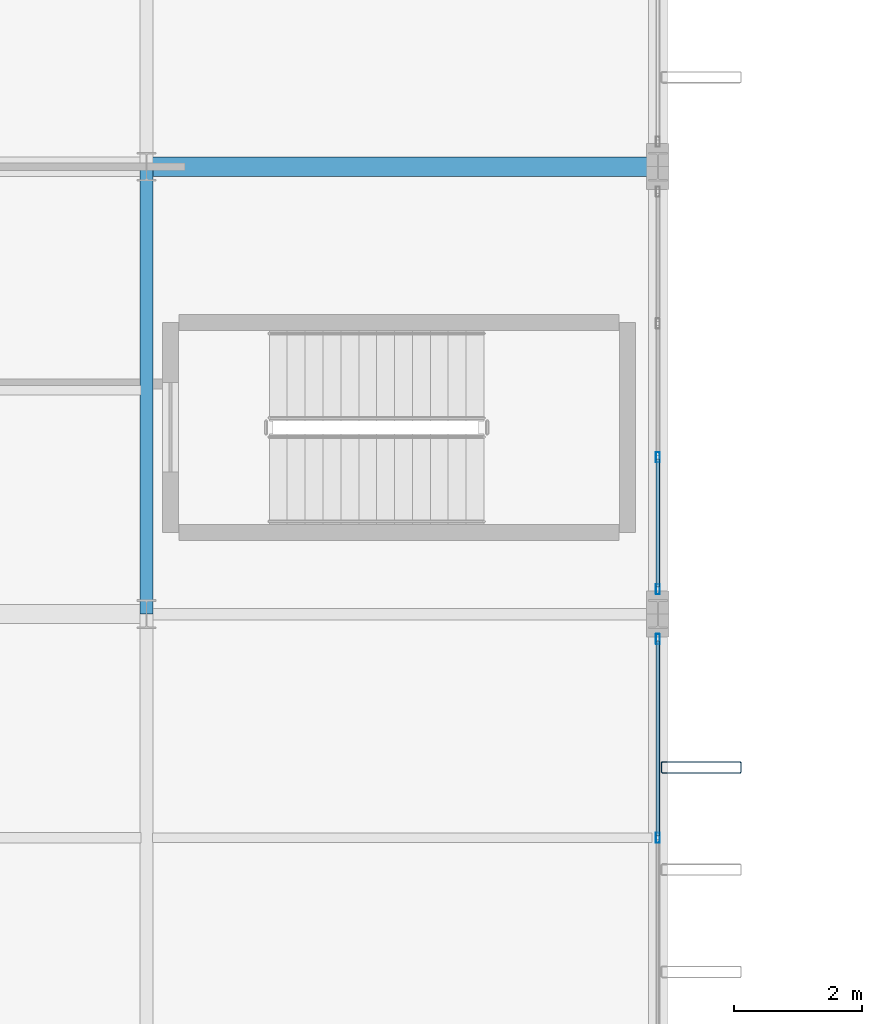
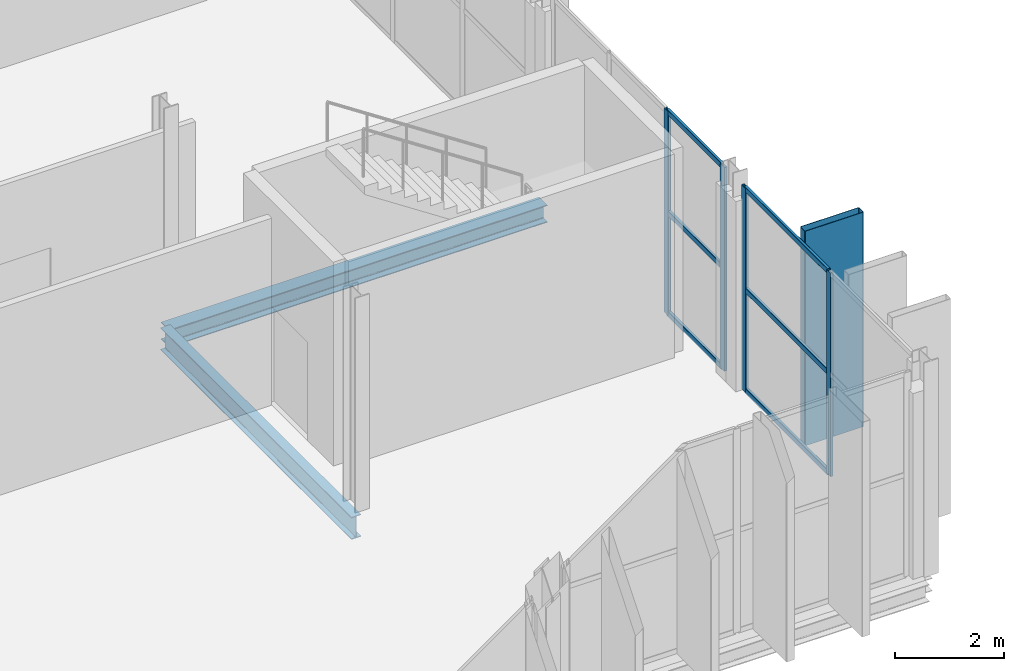
# One storey, part 32 of 120: 11 members, 2 beams, 2 elements without a shape of their own.
"""IFC4 building model written with IfcOpenShell, lengths in metres."""

import ifcopenshell
import ifcopenshell.guid

model = None  # the IFC model being written
_history = None  # IfcOwnerHistory: only IFC2X3 demands one
_inside = {}  # id of a spatial element -> (the spatial element, [elements in it])
_under = {}  # id of a project, library or spatial element -> (it, [spatial elements below it])
_declared = {}  # id of a project -> (the project, [libraries it declares])
_typed = {}  # id of a type object -> (the type object, [elements of that type])
_made_of = {}  # id of a material, layer set ... -> (it, [elements and type objects made of it])


def new_model(schema):
    """Start an empty IFC model of exactly this schema.

    Asked for "IFC4X3", IfcOpenShell would pick the latest addendum, in which some entities
    have other attributes; the version numbers below select the first issue.
    IFC2X3 requires an IfcOwnerHistory on every rooted entity: one is made here for all.
    """
    global model, _history
    if schema == "IFC4X3":
        model = ifcopenshell.file(schema_version=(4, 3, 0, 0))
    else:
        model = ifcopenshell.file(schema=schema)
    _inside.clear()
    _under.clear()
    _declared.clear()
    _typed.clear()
    _made_of.clear()
    _history = None
    if model.schema == "IFC2X3":
        org = make("IfcOrganization", Name="unknown")
        user = make(
            "IfcPersonAndOrganization",
            ThePerson=make("IfcPerson", FamilyName="unknown"),
            TheOrganization=org,
        )
        app = make(
            "IfcApplication",
            ApplicationDeveloper=org,
            Version="unknown",
            ApplicationFullName="unknown",
            ApplicationIdentifier="unknown",
        )
        _history = make(
            "IfcOwnerHistory",
            OwningUser=user,
            OwningApplication=app,
            ChangeAction="ADDED",
            CreationDate=0,
        )
    return model


def make(cls, **values):
    """One entity of the class cls with the attributes given. An attribute that is None is left unset."""
    return model.create_entity(
        cls, **{name: value for name, value in values.items() if value is not None}
    )


def rooted(cls, **values):
    """An entity with a GlobalId (a new one), such as an element, a storey or a relation."""
    return make(cls, GlobalId=ifcopenshell.guid.new(), OwnerHistory=_history, **values)


def si_unit(unit_type, name, prefix=None):
    """IfcSIUnit, for example si_unit("LENGTHUNIT", "METRE", prefix="MILLI")."""
    return make("IfcSIUnit", UnitType=unit_type, Prefix=prefix, Name=name)


def assignment(units):
    """IfcUnitAssignment: the units of a project."""
    return None if units is None else make("IfcUnitAssignment", Units=units)


def point(xyz):
    """IfcCartesianPoint."""
    return None if xyz is None else make("IfcCartesianPoint", Coordinates=xyz)


def direction(xyz):
    """IfcDirection."""
    return None if xyz is None else make("IfcDirection", DirectionRatios=xyz)


def frame(location, z_axis=None, x_axis=None):
    """IfcAxis2Placement3D, a coordinate frame: its origin and axes. An axis left out is left unset."""
    return make(
        "IfcAxis2Placement3D",
        Location=point(location),
        Axis=direction(z_axis),
        RefDirection=direction(x_axis),
    )


def frame_2d(location, x_axis=None):
    """IfcAxis2Placement2D, a coordinate frame in the plane: its origin and x axis."""
    return make(
        "IfcAxis2Placement2D", Location=point(location), RefDirection=direction(x_axis)
    )


def origin():
    """The frame at (0, 0, 0) with its axes left unset."""
    return frame((0.0, 0.0, 0.0))


def origin_2d():
    """The frame at (0, 0) in the plane with its x axis left unset."""
    return frame_2d((0.0, 0.0))


def place(relative_to, where):
    """IfcLocalPlacement: puts the frame where relative to a parent placement (None: the world)."""
    return make(
        "IfcLocalPlacement", PlacementRelTo=relative_to, RelativePlacement=where
    )


def context(
    kind, dimensions, precision=None, world=None, true_north=None, identifier=None
):
    """IfcGeometricRepresentationContext, for example the 3D "Model" context."""
    return make(
        "IfcGeometricRepresentationContext",
        ContextIdentifier=identifier,
        ContextType=kind,
        CoordinateSpaceDimension=dimensions,
        Precision=precision,
        WorldCoordinateSystem=world,
        TrueNorth=true_north,
    )


def subcontext(parent, identifier, kind, view, scale=None):
    """IfcGeometricRepresentationSubContext, for example "Body" below "Model"."""
    return make(
        "IfcGeometricRepresentationSubContext",
        ContextIdentifier=identifier,
        ContextType=kind,
        ParentContext=parent,
        TargetScale=scale,
        TargetView=view,
    )


def project(units=None, contexts=None):
    """IfcProject with its units and contexts."""
    return rooted(
        "IfcProject",
        Name="project",
        RepresentationContexts=contexts,
        UnitsInContext=assignment(units),
    )


def spatial(cls, under=None, at=None, **own):
    """A site, building, storey or space (cls), placed at a placement, below another one or the project."""
    s = rooted(cls, ObjectPlacement=at, **own)
    if under is not None:
        _under.setdefault(under.id(), (under, []))[1].append(s)
    return s


def profile(cls, at=None, kind="AREA", **sizes):
    """A parametric profile (cls). Its sizes go by their IFC names, for example OverallWidth=200.0."""
    return make(cls, ProfileType=kind, Position=at, **sizes)


def hollow_rectangle(**sizes):
    """IfcRectangleHollowProfileDef."""
    return profile("IfcRectangleHollowProfileDef", **sizes)


def i_section(**sizes):
    """IfcIShapeProfileDef."""
    return profile("IfcIShapeProfileDef", **sizes)


def extrude(swept, where, along, depth):
    """IfcExtrudedAreaSolid: the profile swept, set in the frame where, extruded along a direction by depth."""
    return make(
        "IfcExtrudedAreaSolid",
        SweptArea=swept,
        Position=where,
        ExtrudedDirection=direction(along),
        Depth=depth,
    )


def shape(context_of_items, identifier, shape_type, items):
    """IfcShapeRepresentation: the items that make up one representation, for example the "Body"."""
    return make(
        "IfcShapeRepresentation",
        ContextOfItems=context_of_items,
        RepresentationIdentifier=identifier,
        RepresentationType=shape_type,
        Items=items,
    )


def material(Name=None, Category=None):
    """IfcMaterial."""
    return make("IfcMaterial", Name=Name, Category=Category)


def layer(
    of_material, thickness, ventilated=None, Name=None, Category=None, Priority=None
):
    """IfcMaterialLayer: one layer of a wall or slab, of a material (None: an air gap)."""
    return make(
        "IfcMaterialLayer",
        Material=of_material,
        LayerThickness=thickness,
        IsVentilated=ventilated,
        Name=Name,
        Category=Category,
        Priority=Priority,
    )


def layer_set(layers, Name=None):
    """IfcMaterialLayerSet."""
    return make("IfcMaterialLayerSet", MaterialLayers=layers, LayerSetName=Name)


def material_profile(
    of_material, cross_section, Name=None, Category=None, Priority=None
):
    """IfcMaterialProfile: a cross section and its material."""
    return make(
        "IfcMaterialProfile",
        Name=Name,
        Material=of_material,
        Profile=cross_section,
        Priority=Priority,
        Category=Category,
    )


def profile_set(profiles, Name=None, composite=None):
    """IfcMaterialProfileSet."""
    return make(
        "IfcMaterialProfileSet",
        Name=Name,
        MaterialProfiles=profiles,
        CompositeProfile=composite,
    )


def made_of(thing, what):
    """Note that an element or type object is made of a material, layer set ...; save() writes the relation."""
    if what is not None:
        _made_of.setdefault(what.id(), (what, []))[1].append(thing)
    return thing


def type_object(cls, material=None, **own):
    """A type object (cls), such as IfcWallType, which elements share."""
    return made_of(rooted(cls, **own), material)


def element(
    cls,
    number,
    at=None,
    inside=None,
    cuts=None,
    type_object=None,
    material=None,
    context=None,
    identifier="Body",
    shape_type=None,
    held_by="IfcProductDefinitionShape",
    body=None,
    shapes=None,
    **own,
):
    """One element of the class cls, such as IfcWall. Its Tag is "e" and its number.

    at: its placement. inside: the storey or other place that contains it. cuts: it is an
    opening in that element (IfcRelVoidsElement). A single representation is given by context,
    identifier, shape_type and body (its items); several are given by shapes. held_by: the class
    of the entity that holds the representations. save() writes the other relations.
    """
    e = rooted(cls, Tag="e%d" % number, ObjectPlacement=at, **own)
    if body is not None:
        shapes = [shape(context, identifier, shape_type, body)]
    if shapes is not None:
        e.Representation = make(held_by, Representations=shapes)
    if inside is not None:
        _inside.setdefault(inside.id(), (inside, []))[1].append(e)
    if cuts is not None:
        rooted(
            "IfcRelVoidsElement", RelatingBuildingElement=cuts, RelatedOpeningElement=e
        )
    if type_object is not None:
        _typed.setdefault(type_object.id(), (type_object, []))[1].append(e)
    return made_of(e, material)


def aggregate(whole, parts):
    """IfcRelAggregates: a whole, such as a stair, and the parts it consists of."""
    return rooted("IfcRelAggregates", RelatingObject=whole, RelatedObjects=parts)


def save(model, path):
    """Write the relations noted so far, then the file.

    IfcRelAggregates (storeys below a building ...), IfcRelContainedInSpatialStructure (elements
    in a storey), IfcRelDefinesByType, IfcRelAssociatesMaterial and IfcRelDeclares: one each for
    every whole, place, type object, material and project.
    """
    for whole, parts in _under.values():
        aggregate(whole, parts)
    for where, things in _inside.values():
        rooted(
            "IfcRelContainedInSpatialStructure",
            RelatedElements=things,
            RelatingStructure=where,
        )
    for kind, things in _typed.values():
        rooted("IfcRelDefinesByType", RelatedObjects=things, RelatingType=kind)
    for what, things in _made_of.values():
        rooted("IfcRelAssociatesMaterial", RelatedObjects=things, RelatingMaterial=what)
    for by, libraries in _declared.values():
        rooted("IfcRelDeclares", RelatingContext=by, RelatedDefinitions=libraries)
    model.write(path)


model = new_model("IFC4")

# Units and contexts
model_context = context("Model", 3, precision=1e-05, world=origin(), true_north=direction((0.0, 1.0)))
body_context = subcontext(model_context, "Body", "Model", "MODEL_VIEW")
ifc_project = project(units=[si_unit("LENGTHUNIT", "METRE"), si_unit("AREAUNIT", "SQUARE_METRE"), si_unit("VOLUMEUNIT", "CUBIC_METRE"), si_unit("PLANEANGLEUNIT", "RADIAN"), si_unit("MASSUNIT", "GRAM", prefix="KILO")], contexts=[model_context])

# Site, building, storey
site_placement = place(None, origin())
site = spatial("IfcSite", under=ifc_project, at=site_placement, CompositionType="ELEMENT")
building_placement = place(site_placement, origin())
building = spatial("IfcBuilding", under=site, at=building_placement, Name="Vekula Escarpment Museum", CompositionType="ELEMENT")
storey_placement = place(building_placement, frame((0.0, 0.0, 13.199951171875)))
storey = spatial("IfcBuildingStorey", under=building, at=storey_placement, Name="L03", CompositionType="ELEMENT", Elevation=13.199951171875)

# Beams
ifc_material_1 = material(Name="Steel S355", Category="steel")
ifc_material_profile_1 = material_profile(ifc_material_1, i_section(OverallWidth=0.199951171875, OverallDepth=0.5, WebThickness=0.01025390625, FlangeThickness=0.01611328125, FilletRadius=0.02099609375, at=origin_2d()), Name="IPE 500")
ifc_profile_set_1 = profile_set([ifc_material_profile_1], Name="Steel S355")
beam_type_1 = type_object("IfcBeamType", Name="BM-GIRD-IPE500", PredefinedType="BEAM", material=ifc_profile_set_1)
beam_1_placement = place(storey_placement, frame((118.0, 52.60009765625, -0.5), z_axis=(0.0, 1.0, 0.0), x_axis=(-1.0, 0.0, 0.0)))
element("IfcBeam", 1, at=beam_1_placement, inside=storey, type_object=beam_type_1, Name="Beam Y L03 1619", PredefinedType="BEAM", context=body_context, shape_type="SweptSolid", body=[
    extrude(i_section(OverallWidth=0.199951171875, OverallDepth=0.5, WebThickness=0.01025390625, FlangeThickness=0.01611328125, FilletRadius=0.02099609375, at=origin_2d()), origin(), (0.0, 0.0, 1.0), 7.0),
])
ifc_material_2 = material(Name="Steel S355", Category="steel")
ifc_material_profile_2 = material_profile(ifc_material_2, i_section(OverallWidth=0.300048828125, OverallDepth=0.389892578125, WebThickness=0.010986328125, FlangeThickness=0.01904296875, FilletRadius=0.027099609375, at=origin_2d()), Name="HEA 400")
ifc_profile_set_2 = profile_set([ifc_material_profile_2], Name="Steel S355")
beam_type_2 = type_object("IfcBeamType", Name="BM-SPAN-HEA400", PredefinedType="SPANDREL", material=ifc_profile_set_2)
beam_2_placement = place(storey_placement, frame((118.0, 59.60009765625, -0.445068359375), z_axis=(1.0, 0.0, 0.0), x_axis=(0.0, 1.0, 0.0)))
element("IfcBeam", 2, at=beam_2_placement, inside=storey, type_object=beam_type_2, Name="Beam X L03 1353", PredefinedType="SPANDREL", context=body_context, shape_type="SweptSolid", body=[
    extrude(i_section(OverallWidth=0.300048828125, OverallDepth=0.389892578125, WebThickness=0.010986328125, FlangeThickness=0.01904296875, FilletRadius=0.027099609375, at=origin_2d()), origin(), (0.0, 0.0, 1.0), 8.0),
])

# Curtain wall, members
ifc_material_3 = material(Name="Aluminium thermally broken framing", Category="aluminium")
ifc_layer_1 = layer(ifc_material_3, 0.179931640625)
ifc_layer_set_1 = layer_set([ifc_layer_1], Name="Aluminium thermally broken framing")
curtain_wall_type_1 = type_object("IfcCurtainWallType", Name="CW-SYS-08", PredefinedType="NOTDEFINED", material=ifc_layer_set_1)
curtain_wall_1_placement = place(storey_placement, origin())
curtain_wall_1 = element("IfcCurtainWall", 3, at=curtain_wall_1_placement, inside=storey, type_object=curtain_wall_type_1, Name="Curtain Wall CW-L03-108", PredefinedType="NOTDEFINED")
ifc_material_4 = material(Name="Aluminium anodized mullion", Category="aluminium")
ifc_material_profile_3 = material_profile(ifc_material_4, hollow_rectangle(XDim=0.06005859375, YDim=0.159912109375, WallThickness=0.00390625, InnerFilletRadius=0.00390625, OuterFilletRadius=0.008056640625, at=origin_2d()), Name="ALU 160x60x4")
ifc_profile_set_3 = profile_set([ifc_material_profile_3], Name="Aluminium anodized mullion")
member_type_1 = type_object("IfcMemberType", Name="CW-MUL-160", PredefinedType="MULLION", material=ifc_profile_set_3)
member_1_placement = place(storey_placement, frame((126.0, 49.10009765625, 0.0), z_axis=(0.0, 0.0, 1.0), x_axis=(-1.0, 0.0, 0.0)))
member_1 = element("IfcMember", 4, at=member_1_placement, type_object=member_type_1, Name="CW-08 mullion 2", PredefinedType="MULLION", context=body_context, shape_type="SweptSolid", body=[
    extrude(hollow_rectangle(XDim=0.06005859375, YDim=0.159912109375, WallThickness=0.00390625, InnerFilletRadius=0.00390625, OuterFilletRadius=0.008056640625, at=origin_2d()), origin(), (0.0, 0.0, 1.0), 4.56005859375),
])
member_2_placement = place(storey_placement, frame((126.0, 52.2099609375, 0.0), z_axis=(0.0, 0.0, 1.0), x_axis=(-1.0, 0.0, 0.0)))
member_2 = element("IfcMember", 5, at=member_2_placement, type_object=member_type_1, Name="CW-08 mullion 3", PredefinedType="MULLION", context=body_context, shape_type="SweptSolid", body=[
    extrude(hollow_rectangle(XDim=0.06005859375, YDim=0.159912109375, WallThickness=0.00390625, InnerFilletRadius=0.00390625, OuterFilletRadius=0.008056640625, at=origin_2d()), origin(), (0.0, 0.0, 1.0), 4.56005859375),
])

ifc_material_5 = material(Name="Aluminium thermally broken framing", Category="aluminium")
ifc_layer_2 = layer(ifc_material_5, 0.14990234375)
ifc_layer_set_2 = layer_set([ifc_layer_2], Name="Aluminium thermally broken framing")
curtain_wall_type_2 = type_object("IfcCurtainWallType", Name="CW-SYS-09", PredefinedType="NOTDEFINED", material=ifc_layer_set_2)
curtain_wall_2_placement = place(storey_placement, origin())
curtain_wall_2 = element("IfcCurtainWall", 6, at=curtain_wall_2_placement, inside=storey, type_object=curtain_wall_type_2, Name="Curtain Wall CW-L03-109", PredefinedType="NOTDEFINED")
member_3_placement = place(storey_placement, frame((126.0, 52.989990234375, 0.0), z_axis=(0.0, 0.0, 1.0), x_axis=(-1.0, 0.0, 0.0)))
member_3 = element("IfcMember", 7, at=member_3_placement, type_object=member_type_1, Name="CW-09 mullion 1", PredefinedType="MULLION", context=body_context, shape_type="SweptSolid", body=[
    extrude(hollow_rectangle(XDim=0.06005859375, YDim=0.159912109375, WallThickness=0.00390625, InnerFilletRadius=0.00390625, OuterFilletRadius=0.008056640625, at=origin_2d()), origin(), (0.0, 0.0, 1.0), 4.56005859375),
])
member_4_placement = place(storey_placement, frame((126.0, 55.05322265625, 0.0), z_axis=(0.0, 0.0, 1.0), x_axis=(-1.0, 0.0, 0.0)))
member_4 = element("IfcMember", 8, at=member_4_placement, type_object=member_type_1, Name="CW-09 mullion 2", PredefinedType="MULLION", context=body_context, shape_type="SweptSolid", body=[
    extrude(hollow_rectangle(XDim=0.06005859375, YDim=0.159912109375, WallThickness=0.00390625, InnerFilletRadius=0.00390625, OuterFilletRadius=0.008056640625, at=origin_2d()), origin(), (0.0, 0.0, 1.0), 4.56005859375),
])

# Member
ifc_material_6 = material(Name="Aluminium anodized transom", Category="aluminium")
ifc_material_profile_4 = material_profile(ifc_material_6, hollow_rectangle(XDim=0.06005859375, YDim=0.1201171875, WallThickness=0.00390625, InnerFilletRadius=0.00390625, OuterFilletRadius=0.008056640625, at=origin_2d()), Name="ALU 120x60x4")
ifc_profile_set_4 = profile_set([ifc_material_profile_4], Name="Aluminium anodized transom")
member_type_2 = type_object("IfcMemberType", Name="CW-TRN-120", PredefinedType="USERDEFINED", material=ifc_profile_set_4)
member_5_placement = place(storey_placement, frame((126.0, 49.1298828125, 0.030029296875), z_axis=(0.0, 1.0, 0.0), x_axis=(-1.0, 0.0, 0.0)))
member_5 = element("IfcMember", 9, at=member_5_placement, type_object=member_type_2, Name="CW-08 transom 2.1", ObjectType="TRANSOM", PredefinedType="USERDEFINED", context=body_context, shape_type="SweptSolid", body=[
    extrude(hollow_rectangle(XDim=0.06005859375, YDim=0.1201171875, WallThickness=0.00390625, InnerFilletRadius=0.00390625, OuterFilletRadius=0.008056640625, at=origin_2d()), origin(), (0.0, 0.0, 1.0), 3.050048828125),
])

member_6_placement = place(storey_placement, frame((126.0, 49.1298828125, 2.280029296875), z_axis=(0.0, 1.0, 0.0), x_axis=(-1.0, 0.0, 0.0)))
member_6 = element("IfcMember", 10, at=member_6_placement, type_object=member_type_2, Name="CW-08 transom 2.2", ObjectType="TRANSOM", PredefinedType="USERDEFINED", context=body_context, shape_type="SweptSolid", body=[
    extrude(hollow_rectangle(XDim=0.06005859375, YDim=0.1201171875, WallThickness=0.00390625, InnerFilletRadius=0.00390625, OuterFilletRadius=0.008056640625, at=origin_2d()), origin(), (0.0, 0.0, 1.0), 3.050048828125),
])

member_7_placement = place(storey_placement, frame((126.0, 49.1298828125, 4.530029296875), z_axis=(0.0, 1.0, 0.0), x_axis=(-1.0, 0.0, 0.0)))
member_7 = element("IfcMember", 11, at=member_7_placement, type_object=member_type_2, Name="CW-08 transom 2.3", ObjectType="TRANSOM", PredefinedType="USERDEFINED", context=body_context, shape_type="SweptSolid", body=[
    extrude(hollow_rectangle(XDim=0.06005859375, YDim=0.1201171875, WallThickness=0.00390625, InnerFilletRadius=0.00390625, OuterFilletRadius=0.008056640625, at=origin_2d()), origin(), (0.0, 0.0, 1.0), 3.050048828125),
])

aggregate(curtain_wall_1, [member_1, member_2, member_5, member_6, member_7])

member_8_placement = place(storey_placement, frame((126.0, 53.02001953125, 0.030029296875), z_axis=(0.0, 1.0, 0.0), x_axis=(-1.0, 0.0, 0.0)))
member_8 = element("IfcMember", 12, at=member_8_placement, type_object=member_type_2, Name="CW-09 transom 1.1", ObjectType="TRANSOM", PredefinedType="USERDEFINED", context=body_context, shape_type="SweptSolid", body=[
    extrude(hollow_rectangle(XDim=0.06005859375, YDim=0.1201171875, WallThickness=0.00390625, InnerFilletRadius=0.00390625, OuterFilletRadius=0.008056640625, at=origin_2d()), origin(), (0.0, 0.0, 1.0), 2.00341796875),
])

member_9_placement = place(storey_placement, frame((126.0, 53.02001953125, 2.280029296875), z_axis=(0.0, 1.0, 0.0), x_axis=(-1.0, 0.0, 0.0)))
member_9 = element("IfcMember", 13, at=member_9_placement, type_object=member_type_2, Name="CW-09 transom 1.2", ObjectType="TRANSOM", PredefinedType="USERDEFINED", context=body_context, shape_type="SweptSolid", body=[
    extrude(hollow_rectangle(XDim=0.06005859375, YDim=0.1201171875, WallThickness=0.00390625, InnerFilletRadius=0.00390625, OuterFilletRadius=0.008056640625, at=origin_2d()), origin(), (0.0, 0.0, 1.0), 2.00341796875),
])

member_10_placement = place(storey_placement, frame((126.0, 53.02001953125, 4.530029296875), z_axis=(0.0, 1.0, 0.0), x_axis=(-1.0, 0.0, 0.0)))
member_10 = element("IfcMember", 14, at=member_10_placement, type_object=member_type_2, Name="CW-09 transom 1.3", ObjectType="TRANSOM", PredefinedType="USERDEFINED", context=body_context, shape_type="SweptSolid", body=[
    extrude(hollow_rectangle(XDim=0.06005859375, YDim=0.1201171875, WallThickness=0.00390625, InnerFilletRadius=0.00390625, OuterFilletRadius=0.008056640625, at=origin_2d()), origin(), (0.0, 0.0, 1.0), 2.00341796875),
])

aggregate(curtain_wall_2, [member_3, member_4, member_8, member_9, member_10])

ifc_material_7 = material(Name="Steel S355 weathered bronze solar fin", Category="steel")
ifc_material_profile_5 = material_profile(ifc_material_7, hollow_rectangle(XDim=0.179931640625, YDim=1.25, WallThickness=0.010009765625, InnerFilletRadius=0.010009765625, OuterFilletRadius=0.02001953125, at=origin_2d()), Name="RHS 1250x180x10")
ifc_profile_set_5 = profile_set([ifc_material_profile_5], Name="Steel S355 weathered bronze solar fin")
member_type_3 = type_object("IfcMemberType", Name="MB-SOLAR-FIN", PredefinedType="USERDEFINED", material=ifc_profile_set_5)
member_11_placement = place(storey_placement, frame((126.679931640625, 50.199951171875, 0.0), z_axis=(0.0, 0.0, 1.0), x_axis=(0.0, 1.0, 0.0)))
element("IfcMember", 15, at=member_11_placement, inside=storey, type_object=member_type_3, Name="Great Hall Vertical Solar Fin 0363", ObjectType="SOLAR FIN", PredefinedType="USERDEFINED", context=body_context, shape_type="SweptSolid", body=[
    extrude(hollow_rectangle(XDim=0.179931640625, YDim=1.25, WallThickness=0.010009765625, InnerFilletRadius=0.010009765625, OuterFilletRadius=0.02001953125, at=origin_2d()), origin(), (0.0, 0.0, 1.0), 4.800048828125),
])

save(model, "model.ifc")
